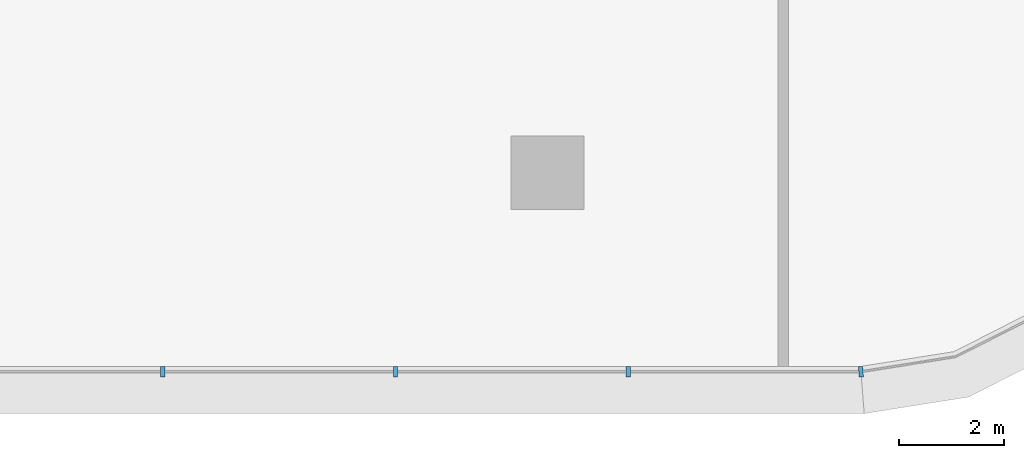
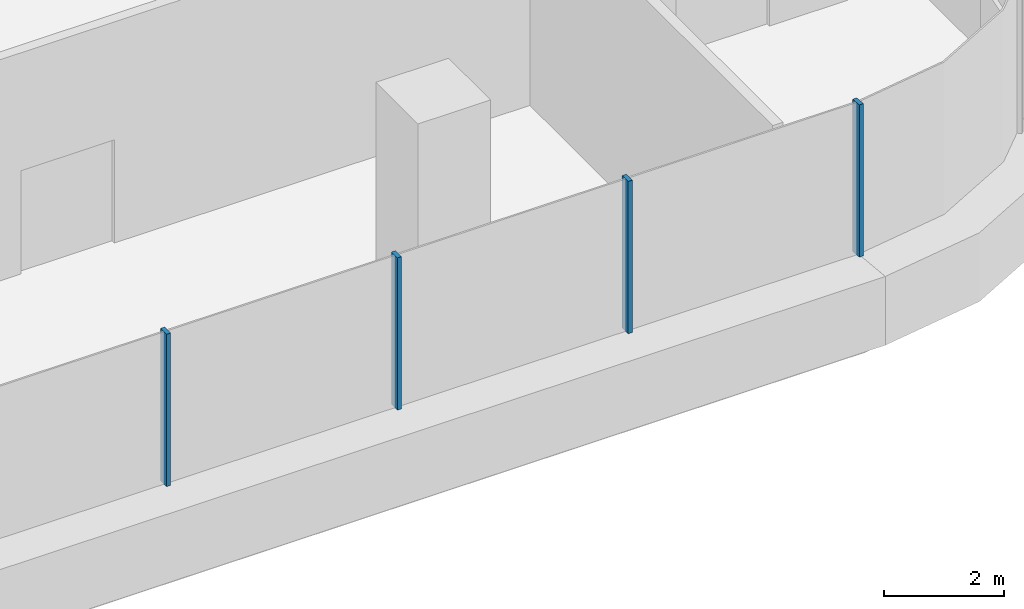
# One storey, part 9 of 44: 4 members, 2 elements without a shape of their own.
"""IFC4 building model written with IfcOpenShell, lengths in metres."""

from ifc_helpers import new_model, si_unit, direction, frame, origin, origin_2d, place, context, subcontext, project, spatial, rectangle, extrude, material, layer, layer_set, material_profile, profile_set, type_object, element, aggregate, save


model = new_model("IFC4")

# Units and contexts
model_context = context("Model", 3, precision=1e-05, world=origin(), true_north=direction((0.0, 1.0)))
body_context = subcontext(model_context, "Body", "Model", "MODEL_VIEW")
ifc_project = project(units=[si_unit("LENGTHUNIT", "METRE"), si_unit("AREAUNIT", "SQUARE_METRE"), si_unit("VOLUMEUNIT", "CUBIC_METRE"), si_unit("PLANEANGLEUNIT", "RADIAN"), si_unit("MASSUNIT", "GRAM", prefix="KILO")], contexts=[model_context])

# Site, building, storey
site_placement = place(None, origin())
site = spatial("IfcSite", under=ifc_project, at=site_placement, CompositionType="ELEMENT")
building_placement = place(site_placement, origin())
building = spatial("IfcBuilding", under=site, at=building_placement, Name="Tamarind Cross Interchange Tower", CompositionType="ELEMENT")
storey_placement = place(building_placement, frame((0.0, 0.0, 15.0)))
storey = spatial("IfcBuildingStorey", under=building, at=storey_placement, Name="L02", CompositionType="ELEMENT", Elevation=15.0)

# Curtain wall, members
ifc_material = material(Name="Aluminium 6063-T6", Category="aluminium")
ifc_layer = layer(ifc_material, 0.199951171875)
ifc_layer_set = layer_set([ifc_layer], Name="Aluminium 6063-T6")
curtain_wall_type = type_object("IfcCurtainWallType", Name="Podium shopfront and station curtain wall", PredefinedType="NOTDEFINED", material=ifc_layer_set)
curtain_wall_1_placement = place(storey_placement, origin())
curtain_wall_1 = element("IfcCurtainWall", 1, at=curtain_wall_1_placement, inside=storey, type_object=curtain_wall_type, Name="CWS-L02-06", PredefinedType="NOTDEFINED")
ifc_material_profile = material_profile(ifc_material, rectangle(XDim=0.080078125, YDim=0.199951171875, at=origin_2d()), Name="Mullion CW3")
ifc_profile_set = profile_set([ifc_material_profile], Name="Aluminium 6063-T6")
member_type = type_object("IfcMemberType", Name="Mullion CW3", PredefinedType="MULLION", material=ifc_profile_set)
member_1_placement = place(storey_placement, frame((46.654541015625, -57.800048828125, 1.39990234375), z_axis=(0.0, 0.0, 1.0), x_axis=(1.0, 0.0, 0.0)))
member_1 = element("IfcMember", 2, at=member_1_placement, type_object=member_type, Name="CWM-L02-06-24", PredefinedType="MULLION", context=body_context, shape_type="SweptSolid", body=[
    extrude(rectangle(XDim=0.080078125, YDim=0.199951171875, at=origin_2d()), origin(), (0.0, 0.0, 1.0), 3.10009765625),
])
member_2_placement = place(storey_placement, frame((51.09765625, -57.800048828125, 1.39990234375), z_axis=(0.0, 0.0, 1.0), x_axis=(1.0, 0.0, 0.0)))
member_2 = element("IfcMember", 3, at=member_2_placement, type_object=member_type, Name="CWM-L02-06-25", PredefinedType="MULLION", context=body_context, shape_type="SweptSolid", body=[
    extrude(rectangle(XDim=0.080078125, YDim=0.199951171875, at=origin_2d()), origin(), (0.0, 0.0, 1.0), 3.10009765625),
])
member_3_placement = place(storey_placement, frame((55.541015625, -57.800048828125, 1.39990234375), z_axis=(0.0, 0.0, 1.0), x_axis=(1.0, 0.0, 0.0)))
member_3 = element("IfcMember", 4, at=member_3_placement, type_object=member_type, Name="CWM-L02-06-26", PredefinedType="MULLION", context=body_context, shape_type="SweptSolid", body=[
    extrude(rectangle(XDim=0.080078125, YDim=0.199951171875, at=origin_2d()), origin(), (0.0, 0.0, 1.0), 3.10009765625),
])
aggregate(curtain_wall_1, [member_1, member_2, member_3])

# Curtain wall, member
curtain_wall_2_placement = place(storey_placement, origin())
curtain_wall_2 = element("IfcCurtainWall", 5, at=curtain_wall_2_placement, inside=storey, type_object=curtain_wall_type, Name="CWS-L02-07", PredefinedType="NOTDEFINED")
member_4_placement = place(storey_placement, frame((59.984375, -57.800048828125, 1.39990234375), z_axis=(0.0, 0.0, 1.0), x_axis=(0.996917333733, 0.078459095728, 0.0)))
member_4 = element("IfcMember", 6, at=member_4_placement, type_object=member_type, Name="CWM-L02-07-00", PredefinedType="MULLION", context=body_context, shape_type="SweptSolid", body=[
    extrude(rectangle(XDim=0.080078125, YDim=0.199951171875, at=origin_2d()), origin(), (0.0, 0.0, 1.0), 3.10009765625),
])
aggregate(curtain_wall_2, [member_4])

save(model, "model.ifc")
